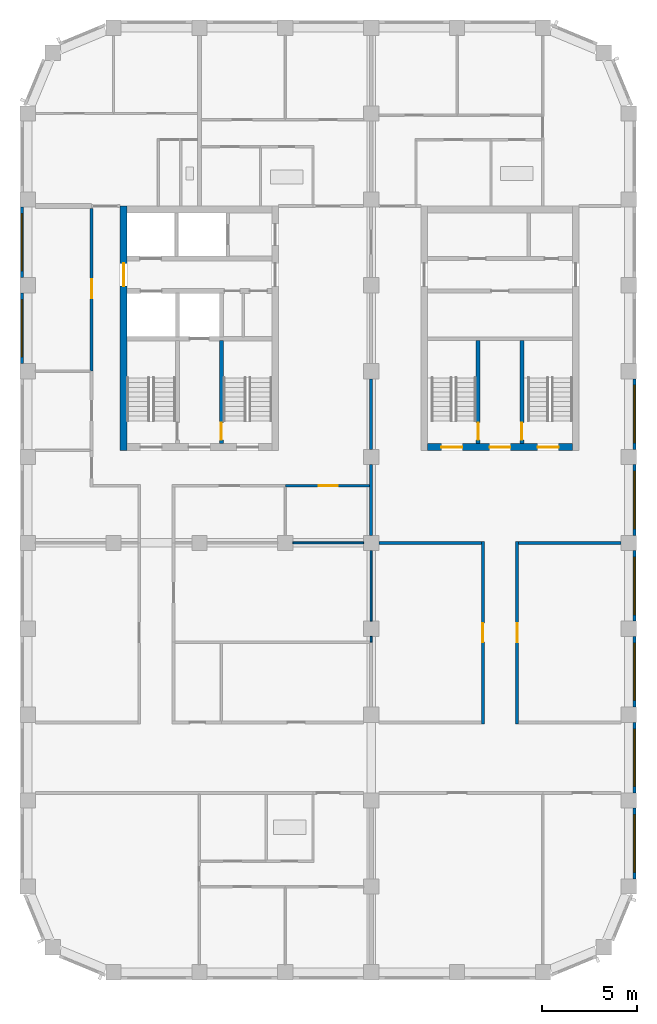
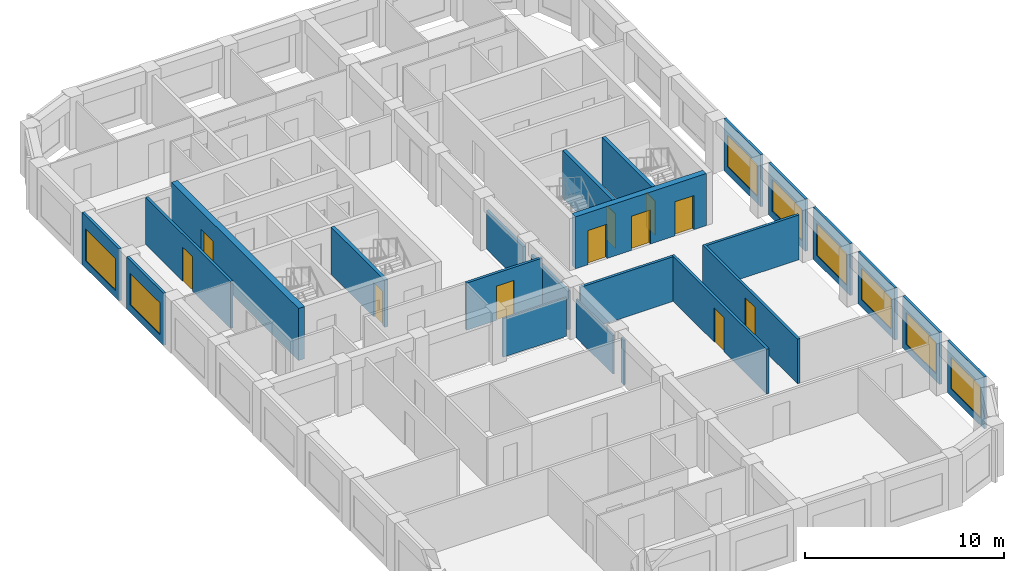
# One storey, part 4 of 9: 24 walls, 11 doors, 8 windows, 19 openings.
"""IFC4 building model written with IfcOpenShell, lengths in metres."""

from ifc_helpers import new_model, si_unit, direction, frame, frame_2d, origin, place, context, subcontext, project, spatial, rectangle, extrude, material, layer, layer_set, type_object, element, fill, save


model = new_model("IFC4")

# Units and contexts
model_context = context("Model", 3, precision=1e-05, world=origin(), true_north=direction((0.0, 1.0)))
body_context = subcontext(model_context, "Body", "Model", "MODEL_VIEW")
ifc_project = project(units=[si_unit("LENGTHUNIT", "METRE"), si_unit("AREAUNIT", "SQUARE_METRE"), si_unit("VOLUMEUNIT", "CUBIC_METRE"), si_unit("PLANEANGLEUNIT", "RADIAN"), si_unit("MASSUNIT", "GRAM", prefix="KILO")], contexts=[model_context])

# Site, building, storey
site_placement = place(None, origin())
site = spatial("IfcSite", under=ifc_project, at=site_placement, CompositionType="ELEMENT")
building_placement = place(site_placement, origin())
building = spatial("IfcBuilding", under=site, at=building_placement, Name="Girih Gate Residences", CompositionType="ELEMENT")
storey_placement = place(building_placement, frame((0.0, 0.0, 206.89501953125)))
storey = spatial("IfcBuildingStorey", under=building, at=storey_placement, Name="L57", CompositionType="ELEMENT", Elevation=206.89501953125)

# Walls
ifc_material_1 = material(Name="Gypsum board on steel studs", Category="steel")
ifc_layer_1 = layer(ifc_material_1, 0.14990234375)
ifc_layer_set_1 = layer_set([ifc_layer_1], Name="Compartment wall 150 mm")
wall_type_1 = type_object("IfcWallType", Name="Compartment wall 150 mm", PredefinedType="PARTITIONING", material=ifc_layer_set_1)
for number, where, z_axis, x_axis, name in (
    (1, (18.39990234375, 22.5, 0.0), (0.0, 0.0, 1.0), (1.0, 0.0, 0.0), "L57 partition"),
    (2, (25.72509765625, 22.5, 0.0), (0.0, 0.0, 1.0), (1.0, 0.0, 0.0), "L57 partition"),
):
    element("IfcWall", number, at=place(storey_placement, frame(where, z_axis=z_axis, x_axis=x_axis)), inside=storey, type_object=wall_type_1, Name=name, PredefinedType="PARTITIONING", context=body_context, shape_type="SweptSolid", body=[
        extrude(rectangle(XDim=5.375, YDim=0.14990234375, at=frame_2d((2.6875, 0.0))), origin(), (0.0, 0.0, 1.0), 2.75),
    ])
for number, where, z_axis, x_axis, name in (
    (3, (18.0, 27.39990234375, 0.0), (0.0, 0.0, 1.0), (0.0, 1.0, 0.0), "L57 partition"),
    (4, (18.0, 22.89990234375, 0.0), (0.0, 0.0, 1.0), (0.0, 1.0, 0.0), "L57 partition"),
):
    element("IfcWall", number, at=place(storey_placement, frame(where, z_axis=z_axis, x_axis=x_axis)), inside=storey, type_object=wall_type_1, Name=name, PredefinedType="PARTITIONING", context=body_context, shape_type="SweptSolid", body=[
        extrude(rectangle(XDim=3.7001953125, YDim=0.14990234375, at=frame_2d((1.85009765625, 0.0))), origin(), (0.0, 0.0, 1.0), 2.3798828125),
    ])

# Wall, opening, door
wall_1_placement = place(storey_placement, frame((23.85009765625, 13.02490234375, 0.0), z_axis=(0.0, 0.0, 1.0), x_axis=(0.0, 1.0, 0.0)))
wall_1 = element("IfcWall", 5, at=wall_1_placement, inside=storey, type_object=wall_type_1, Name="L57 partition", PredefinedType="PARTITIONING", context=body_context, shape_type="SweptSolid", body=[
    extrude(rectangle(XDim=9.550048828125, YDim=0.14990234375, at=frame_2d((4.77490234375, 0.0))), origin(), (0.0, 0.0, 1.0), 2.75),
])
opening_1_placement = place(wall_1_placement, frame((4.27490234375, 0.0, 0.0)))
opening_1 = element("IfcOpeningElement", 6, at=opening_1_placement, cuts=wall_1, Name="Opening A57-027", PredefinedType="OPENING", context=body_context, shape_type="SweptSolid", body=[
    extrude(rectangle(XDim=1.0, YDim=2.10009765625, at=frame_2d((0.5, 1.050048828125))), frame((0.0, 0.0849609375, 0.0), z_axis=(0.0, -1.0, 0.0), x_axis=(1.0, 0.0, 0.0)), (0.0, 0.0, 1.0), 0.169921875),
])
ifc_material_2 = material(Name="Timber, fire-rated core", Category="wood")
door_type_1 = type_object("IfcDoorType", Name="Amenity room door 1000x2100 FD30S", OperationType="NOTDEFINED", PredefinedType="DOOR", material=ifc_material_2)
door_1_placement = place(opening_1_placement, origin())
door_1 = element("IfcDoor", 7, at=door_1_placement, inside=storey, type_object=door_type_1, Name="Door A57-027", OperationType="SINGLE_SWING_RIGHT", OverallHeight=2.10009765625, OverallWidth=1.0, PredefinedType="DOOR", context=body_context, shape_type="SweptSolid", body=[
    extrude(rectangle(XDim=1.0, YDim=2.10009765625, at=frame_2d((0.5, 1.050048828125))), frame((0.0, 0.02490234375, 0.0), z_axis=(0.0, -1.0, 0.0), x_axis=(1.0, 0.0, 0.0)), (0.0, 0.0, 1.0), 0.050048828125),
])
fill(opening_1, door_1)

wall_2_placement = place(storey_placement, frame((25.64990234375, 22.574951171875, 0.0), z_axis=(0.0, 0.0, 1.0), x_axis=(0.0, -1.0, 0.0)))
wall_2 = element("IfcWall", 8, at=wall_2_placement, inside=storey, type_object=wall_type_1, Name="L57 partition", PredefinedType="PARTITIONING", context=body_context, shape_type="SweptSolid", body=[
    extrude(rectangle(XDim=9.550048828125, YDim=0.14990234375, at=frame_2d((4.77490234375, 0.0))), origin(), (0.0, 0.0, 1.0), 2.75),
])
opening_2_placement = place(wall_2_placement, frame((4.27490234375, 0.0, 0.0)))
opening_2 = element("IfcOpeningElement", 9, at=opening_2_placement, cuts=wall_2, Name="Opening A57-028", PredefinedType="OPENING", context=body_context, shape_type="SweptSolid", body=[
    extrude(rectangle(XDim=1.0, YDim=2.10009765625, at=frame_2d((0.5, 1.050048828125))), frame((0.0, 0.0849609375, 0.0), z_axis=(0.0, -1.0, 0.0), x_axis=(1.0, 0.0, 0.0)), (0.0, 0.0, 1.0), 0.169921875),
])
door_2_placement = place(opening_2_placement, origin())
door_2 = element("IfcDoor", 10, at=door_2_placement, inside=storey, type_object=door_type_1, Name="Door A57-028", OperationType="SINGLE_SWING_LEFT", OverallHeight=2.10009765625, OverallWidth=1.0, PredefinedType="DOOR", context=body_context, shape_type="SweptSolid", body=[
    extrude(rectangle(XDim=1.0, YDim=2.10009765625, at=frame_2d((0.5, 1.050048828125))), frame((0.0, 0.02490234375, 0.0), z_axis=(0.0, -1.0, 0.0), x_axis=(1.0, 0.0, 0.0)), (0.0, 0.0, 1.0), 0.050048828125),
])
fill(opening_2, door_2)

wall_3_placement = place(storey_placement, frame((17.925048828125, 25.5, 0.0), z_axis=(0.0, 0.0, 1.0), x_axis=(-1.0, 0.0, 0.0)))
wall_3 = element("IfcWall", 11, at=wall_3_placement, inside=storey, type_object=wall_type_1, Name="L57 partition", PredefinedType="PARTITIONING", context=body_context, shape_type="SweptSolid", body=[
    extrude(rectangle(XDim=4.425048828125, YDim=0.14990234375, at=frame_2d((2.21240234375, 0.0))), origin(), (0.0, 0.0, 1.0), 2.89990234375),
])
opening_3_placement = place(wall_3_placement, frame((1.675048828125, 0.0, 0.0)))
opening_3 = element("IfcOpeningElement", 12, at=opening_3_placement, cuts=wall_3, Name="Opening A57-033", PredefinedType="OPENING", context=body_context, shape_type="SweptSolid", body=[
    extrude(rectangle(XDim=1.0, YDim=2.10009765625, at=frame_2d((0.5, 1.050048828125))), frame((0.0, 0.0849609375, 0.0), z_axis=(0.0, -1.0, 0.0), x_axis=(1.0, 0.0, 0.0)), (0.0, 0.0, 1.0), 0.169921875),
])
door_3_placement = place(opening_3_placement, origin())
door_3 = element("IfcDoor", 13, at=door_3_placement, inside=storey, type_object=door_type_1, Name="Door A57-033", OperationType="SINGLE_SWING_LEFT", OverallHeight=2.10009765625, OverallWidth=1.0, PredefinedType="DOOR", context=body_context, shape_type="SweptSolid", body=[
    extrude(rectangle(XDim=1.0, YDim=2.10009765625, at=frame_2d((0.5, 1.050048828125))), frame((0.0, 0.02490234375, 0.0), z_axis=(0.0, -1.0, 0.0), x_axis=(1.0, 0.0, 0.0)), (0.0, 0.0, 1.0), 0.050048828125),
])
fill(opening_3, door_3)

wall_4_placement = place(storey_placement, frame((3.35009765625, 31.5, 0.0), z_axis=(0.0, 0.0, 1.0), x_axis=(0.0, 1.0, 0.0)))
wall_4 = element("IfcWall", 14, at=wall_4_placement, inside=storey, type_object=wall_type_1, Name="L57 partition", PredefinedType="PARTITIONING", context=body_context, shape_type="SweptSolid", body=[
    extrude(rectangle(XDim=8.52490234375, YDim=0.14990234375, at=frame_2d((4.262451171875, 0.0))), origin(), (0.0, 0.0, 1.0), 2.89990234375),
])
opening_4_placement = place(wall_4_placement, frame((3.824951171875, 0.0, 0.0)))
opening_4 = element("IfcOpeningElement", 15, at=opening_4_placement, cuts=wall_4, Name="Opening A57-035", PredefinedType="OPENING", context=body_context, shape_type="SweptSolid", body=[
    extrude(rectangle(XDim=1.0, YDim=2.10009765625, at=frame_2d((0.5, 1.050048828125))), frame((0.0, 0.0849609375, 0.0), z_axis=(0.0, -1.0, 0.0), x_axis=(1.0, 0.0, 0.0)), (0.0, 0.0, 1.0), 0.169921875),
])
door_4_placement = place(opening_4_placement, origin())
door_4 = element("IfcDoor", 16, at=door_4_placement, inside=storey, type_object=door_type_1, Name="Door A57-035", OperationType="SINGLE_SWING_RIGHT", OverallHeight=2.10009765625, OverallWidth=1.0, PredefinedType="DOOR", context=body_context, shape_type="SweptSolid", body=[
    extrude(rectangle(XDim=1.0, YDim=2.10009765625, at=frame_2d((0.5, 1.050048828125))), frame((0.0, 0.02490234375, 0.0), z_axis=(0.0, -1.0, 0.0), x_axis=(1.0, 0.0, 0.0)), (0.0, 0.0, 1.0), 0.050048828125),
])
fill(opening_4, door_4)

ifc_material_3 = material(Name="Concrete C60/75", Category="concrete")
ifc_layer_2 = layer(ifc_material_3, 0.35009765625)
ifc_layer_set_2 = layer_set([ifc_layer_2], Name="Core wall RC 350 Concrete C60/75")
wall_type_2 = type_object("IfcWallType", Name="Core wall RC 350 Concrete C60/75", PredefinedType="SOLIDWALL", material=ifc_layer_set_2)
wall_5_placement = place(storey_placement, frame((5.02490234375, 27.35009765625, 0.0), z_axis=(0.0, 0.0, 1.0), x_axis=(0.0, 1.0, 0.0)))
wall_5 = element("IfcWall", 17, at=wall_5_placement, inside=storey, type_object=wall_type_2, Name="Core wall W-W L57", PredefinedType="SOLIDWALL", context=body_context, shape_type="SweptSolid", body=[
    extrude(rectangle(XDim=12.7998046875, YDim=0.35009765625, at=frame_2d((6.39990234375, 0.0))), origin(), (0.0, 0.0, 1.0), 3.199951171875),
])
opening_5_placement = place(wall_5_placement, frame((8.60009765625, 0.0, 0.0)))
opening_5 = element("IfcOpeningElement", 18, at=opening_5_placement, cuts=wall_5, Name="Opening D-L57-W-013", PredefinedType="OPENING", context=body_context, shape_type="SweptSolid", body=[
    extrude(rectangle(XDim=1.199951171875, YDim=2.10009765625, at=frame_2d((0.60009765625, 1.050048828125))), frame((0.0, 0.18505859375, 0.0), z_axis=(0.0, -1.0, 0.0), x_axis=(1.0, 0.0, 0.0)), (0.0, 0.0, 1.0), 0.3701171875),
])
ifc_material_4 = material(Name="Painted steel, fire-resisting", Category="steel")
door_type_2 = type_object("IfcDoorType", Name="Fire door 1200x2100", OperationType="SINGLE_SWING_LEFT", PredefinedType="DOOR", material=ifc_material_4)
door_5_placement = place(opening_5_placement, origin())
door_5 = element("IfcDoor", 19, at=door_5_placement, inside=storey, type_object=door_type_2, Name="L57 W core door ll-w", OperationType="SINGLE_SWING_LEFT", OverallHeight=2.10009765625, OverallWidth=1.199951171875, PredefinedType="DOOR", context=body_context, shape_type="SweptSolid", body=[
    extrude(rectangle(XDim=1.199951171875, YDim=2.10009765625, at=frame_2d((0.60009765625, 1.050048828125))), frame((0.0, 0.02490234375, 0.0), z_axis=(0.0, -1.0, 0.0), x_axis=(1.0, 0.0, 0.0)), (0.0, 0.0, 1.0), 0.050048828125),
])
fill(opening_5, door_5)

# Walls
ifc_layer_3 = layer(ifc_material_1, 0.10009765625)
ifc_layer_set_3 = layer_set([ifc_layer_3], Name="Partition 100 mm")
wall_type_3 = type_object("IfcWallType", Name="Partition 100 mm", PredefinedType="PARTITIONING", material=ifc_layer_set_3)
wall_6_placement = place(storey_placement, frame((18.0, 18.39990234375, 0.0), z_axis=(0.0, 0.0, 1.0), x_axis=(0.0, 1.0, 0.0)))
element("IfcWall", 20, at=wall_6_placement, inside=storey, type_object=wall_type_3, Name="L57 partition", PredefinedType="PARTITIONING", context=body_context, shape_type="SweptSolid", body=[
    extrude(rectangle(XDim=3.7001953125, YDim=0.10009765625, at=frame_2d((1.85009765625, 0.0))), origin(), (0.0, 0.0, 1.0), 2.3798828125),
])
wall_7_placement = place(storey_placement, frame((18.0, 17.300048828125, 0.0), z_axis=(0.0, 0.0, 1.0), x_axis=(0.0, 1.0, 0.0)))
element("IfcWall", 21, at=wall_7_placement, inside=storey, type_object=wall_type_3, Name="L57 partition", PredefinedType="PARTITIONING", context=body_context, shape_type="SweptSolid", body=[
    extrude(rectangle(XDim=0.300048828125, YDim=0.10009765625, at=frame_2d((0.14990234375, 0.0))), origin(), (0.0, 0.0, 1.0), 2.75),
])
wall_8_placement = place(storey_placement, frame((13.89990234375, 22.5, 0.0), z_axis=(0.0, 0.0, 1.0), x_axis=(1.0, 0.0, 0.0)))
element("IfcWall", 22, at=wall_8_placement, inside=storey, type_object=wall_type_3, Name="L57 partition", PredefinedType="PARTITIONING", context=body_context, shape_type="SweptSolid", body=[
    extrude(rectangle(XDim=3.7001953125, YDim=0.10009765625, at=frame_2d((1.85009765625, 0.0))), origin(), (0.0, 0.0, 1.0), 2.3798828125),
])

# Wall, opening, window
ifc_material_5 = material(Name="Precast concrete C50/60", Category="concrete")
ifc_layer_4 = layer(ifc_material_5, 0.050048828125, Name="Outer leaf")
ifc_material_6 = material(Name="Rigid PIR insulation")
ifc_layer_5 = layer(ifc_material_6, 0.06005859375, Name="Insulation")
ifc_material_7 = material(Name="Precast concrete C40/50", Category="concrete")
ifc_layer_6 = layer(ifc_material_7, 0.0400390625, Name="Inner leaf")
ifc_layer_set_4 = layer_set([ifc_layer_4, ifc_layer_5, ifc_layer_6], Name="Precast concrete C50/60 external wall 150")
wall_type_4 = type_object("IfcWallType", Name="Precast concrete C50/60 external wall 150", PredefinedType="SOLIDWALL", material=ifc_layer_set_4)
wall_9_placement = place(storey_placement, frame((31.800048828125, 8.60009765625, 0.0), z_axis=(0.0, 0.0, 1.0), x_axis=(0.0, -1.0, 0.0)))
wall_9 = element("IfcWall", 23, at=wall_9_placement, inside=storey, type_object=wall_type_4, Name="External wall E0315_0045.0", PredefinedType="SOLIDWALL", context=body_context, shape_type="SweptSolid", body=[
    extrude(rectangle(XDim=3.7001953125, YDim=0.14990234375, at=frame_2d((1.85009765625, 0.0))), origin(), (0.0, 0.0, 1.0), 3.199951171875),
])
opening_6_placement = place(wall_9_placement, frame((0.35009765625, 0.0, 0.449951171875)))
opening_6 = element("IfcOpeningElement", 24, at=opening_6_placement, cuts=wall_9, Name="Opening W-1D", PredefinedType="OPENING", context=body_context, shape_type="SweptSolid", body=[
    extrude(rectangle(XDim=3.0, YDim=1.949951171875, at=frame_2d((1.5, 0.97509765625))), frame((0.0, 0.0849609375, 0.0), z_axis=(0.0, -1.0, 0.0), x_axis=(1.0, 0.0, 0.0)), (0.0, 0.0, 1.0), 0.169921875),
])
ifc_material_8 = material(Name="Double glazing in aluminium frame", Category="aluminium")
window_type = type_object("IfcWindowType", Name="Window W-1D 3000x1950", PartitioningType="SINGLE_PANEL", PredefinedType="WINDOW", material=ifc_material_8)
window_1_placement = place(opening_6_placement, origin())
window_1 = element("IfcWindow", 25, at=window_1_placement, inside=storey, type_object=window_type, Name="Window W-1D E0315_0045.0", OverallHeight=1.949951171875, OverallWidth=3.0, PartitioningType="SINGLE_PANEL", PredefinedType="WINDOW", context=body_context, shape_type="SweptSolid", body=[
    extrude(rectangle(XDim=3.0, YDim=1.949951171875, at=frame_2d((1.5, 0.97509765625))), frame((0.0, 0.030029296875, 0.0), z_axis=(0.0, -1.0, 0.0), x_axis=(1.0, 0.0, 0.0)), (0.0, 0.0, 1.0), 0.06005859375),
])
fill(opening_6, window_1)

wall_10_placement = place(storey_placement, frame((31.800048828125, 13.10009765625, 0.0), z_axis=(0.0, 0.0, 1.0), x_axis=(0.0, -1.0, 0.0)))
wall_10 = element("IfcWall", 26, at=wall_10_placement, inside=storey, type_object=wall_type_4, Name="External wall E0315_0045.1", PredefinedType="SOLIDWALL", context=body_context, shape_type="SweptSolid", body=[
    extrude(rectangle(XDim=3.7001953125, YDim=0.14990234375, at=frame_2d((1.85009765625, 0.0))), origin(), (0.0, 0.0, 1.0), 3.199951171875),
])
opening_7_placement = place(wall_10_placement, frame((0.35009765625, 0.0, 0.449951171875)))
opening_7 = element("IfcOpeningElement", 27, at=opening_7_placement, cuts=wall_10, Name="Opening W-1D", PredefinedType="OPENING", context=body_context, shape_type="SweptSolid", body=[
    extrude(rectangle(XDim=3.0, YDim=1.949951171875, at=frame_2d((1.5, 0.97509765625))), frame((0.0, 0.0849609375, 0.0), z_axis=(0.0, -1.0, 0.0), x_axis=(1.0, 0.0, 0.0)), (0.0, 0.0, 1.0), 0.169921875),
])
window_2_placement = place(opening_7_placement, origin())
window_2 = element("IfcWindow", 28, at=window_2_placement, inside=storey, type_object=window_type, Name="Window W-1D E0315_0045.1", OverallHeight=1.949951171875, OverallWidth=3.0, PartitioningType="SINGLE_PANEL", PredefinedType="WINDOW", context=body_context, shape_type="SweptSolid", body=[
    extrude(rectangle(XDim=3.0, YDim=1.949951171875, at=frame_2d((1.5, 0.97509765625))), frame((0.0, 0.030029296875, 0.0), z_axis=(0.0, -1.0, 0.0), x_axis=(1.0, 0.0, 0.0)), (0.0, 0.0, 1.0), 0.06005859375),
])
fill(opening_7, window_2)

wall_11_placement = place(storey_placement, frame((31.800048828125, 17.60009765625, 0.0), z_axis=(0.0, 0.0, 1.0), x_axis=(0.0, -1.0, 0.0)))
wall_11 = element("IfcWall", 29, at=wall_11_placement, inside=storey, type_object=wall_type_4, Name="External wall E0315_0045.2", PredefinedType="SOLIDWALL", context=body_context, shape_type="SweptSolid", body=[
    extrude(rectangle(XDim=3.7001953125, YDim=0.14990234375, at=frame_2d((1.85009765625, 0.0))), origin(), (0.0, 0.0, 1.0), 3.199951171875),
])
opening_8_placement = place(wall_11_placement, frame((0.35009765625, 0.0, 0.449951171875)))
opening_8 = element("IfcOpeningElement", 30, at=opening_8_placement, cuts=wall_11, Name="Opening W-1D", PredefinedType="OPENING", context=body_context, shape_type="SweptSolid", body=[
    extrude(rectangle(XDim=3.0, YDim=1.949951171875, at=frame_2d((1.5, 0.97509765625))), frame((0.0, 0.0849609375, 0.0), z_axis=(0.0, -1.0, 0.0), x_axis=(1.0, 0.0, 0.0)), (0.0, 0.0, 1.0), 0.169921875),
])
window_3_placement = place(opening_8_placement, origin())
window_3 = element("IfcWindow", 31, at=window_3_placement, inside=storey, type_object=window_type, Name="Window W-1D E0315_0045.2", OverallHeight=1.949951171875, OverallWidth=3.0, PartitioningType="SINGLE_PANEL", PredefinedType="WINDOW", context=body_context, shape_type="SweptSolid", body=[
    extrude(rectangle(XDim=3.0, YDim=1.949951171875, at=frame_2d((1.5, 0.97509765625))), frame((0.0, 0.030029296875, 0.0), z_axis=(0.0, -1.0, 0.0), x_axis=(1.0, 0.0, 0.0)), (0.0, 0.0, 1.0), 0.06005859375),
])
fill(opening_8, window_3)

wall_12_placement = place(storey_placement, frame((31.800048828125, 22.10009765625, 0.0), z_axis=(0.0, 0.0, 1.0), x_axis=(0.0, -1.0, 0.0)))
wall_12 = element("IfcWall", 32, at=wall_12_placement, inside=storey, type_object=wall_type_4, Name="External wall E0315_0045.3", PredefinedType="SOLIDWALL", context=body_context, shape_type="SweptSolid", body=[
    extrude(rectangle(XDim=3.7001953125, YDim=0.14990234375, at=frame_2d((1.85009765625, 0.0))), origin(), (0.0, 0.0, 1.0), 3.199951171875),
])
opening_9_placement = place(wall_12_placement, frame((0.35009765625, 0.0, 0.449951171875)))
opening_9 = element("IfcOpeningElement", 33, at=opening_9_placement, cuts=wall_12, Name="Opening W-1D", PredefinedType="OPENING", context=body_context, shape_type="SweptSolid", body=[
    extrude(rectangle(XDim=3.0, YDim=1.949951171875, at=frame_2d((1.5, 0.97509765625))), frame((0.0, 0.0849609375, 0.0), z_axis=(0.0, -1.0, 0.0), x_axis=(1.0, 0.0, 0.0)), (0.0, 0.0, 1.0), 0.169921875),
])
window_4_placement = place(opening_9_placement, origin())
window_4 = element("IfcWindow", 34, at=window_4_placement, inside=storey, type_object=window_type, Name="Window W-1D E0315_0045.3", OverallHeight=1.949951171875, OverallWidth=3.0, PartitioningType="SINGLE_PANEL", PredefinedType="WINDOW", context=body_context, shape_type="SweptSolid", body=[
    extrude(rectangle(XDim=3.0, YDim=1.949951171875, at=frame_2d((1.5, 0.97509765625))), frame((0.0, 0.030029296875, 0.0), z_axis=(0.0, -1.0, 0.0), x_axis=(1.0, 0.0, 0.0)), (0.0, 0.0, 1.0), 0.06005859375),
])
fill(opening_9, window_4)

wall_13_placement = place(storey_placement, frame((31.800048828125, 26.60009765625, 0.0), z_axis=(0.0, 0.0, 1.0), x_axis=(0.0, -1.0, 0.0)))
wall_13 = element("IfcWall", 35, at=wall_13_placement, inside=storey, type_object=wall_type_4, Name="External wall E0315_0045.4", PredefinedType="SOLIDWALL", context=body_context, shape_type="SweptSolid", body=[
    extrude(rectangle(XDim=3.7001953125, YDim=0.14990234375, at=frame_2d((1.85009765625, 0.0))), origin(), (0.0, 0.0, 1.0), 3.199951171875),
])
opening_10_placement = place(wall_13_placement, frame((0.35009765625, 0.0, 0.449951171875)))
opening_10 = element("IfcOpeningElement", 36, at=opening_10_placement, cuts=wall_13, Name="Opening W-1D", PredefinedType="OPENING", context=body_context, shape_type="SweptSolid", body=[
    extrude(rectangle(XDim=3.0, YDim=1.949951171875, at=frame_2d((1.5, 0.97509765625))), frame((0.0, 0.0849609375, 0.0), z_axis=(0.0, -1.0, 0.0), x_axis=(1.0, 0.0, 0.0)), (0.0, 0.0, 1.0), 0.169921875),
])
window_5_placement = place(opening_10_placement, origin())
window_5 = element("IfcWindow", 37, at=window_5_placement, inside=storey, type_object=window_type, Name="Window W-1D E0315_0045.4", OverallHeight=1.949951171875, OverallWidth=3.0, PartitioningType="SINGLE_PANEL", PredefinedType="WINDOW", context=body_context, shape_type="SweptSolid", body=[
    extrude(rectangle(XDim=3.0, YDim=1.949951171875, at=frame_2d((1.5, 0.97509765625))), frame((0.0, 0.030029296875, 0.0), z_axis=(0.0, -1.0, 0.0), x_axis=(1.0, 0.0, 0.0)), (0.0, 0.0, 1.0), 0.06005859375),
])
fill(opening_10, window_5)

wall_14_placement = place(storey_placement, frame((31.800048828125, 31.10009765625, 0.0), z_axis=(0.0, 0.0, 1.0), x_axis=(0.0, -1.0, 0.0)))
wall_14 = element("IfcWall", 38, at=wall_14_placement, inside=storey, type_object=wall_type_4, Name="External wall E0315_0045.5", PredefinedType="SOLIDWALL", context=body_context, shape_type="SweptSolid", body=[
    extrude(rectangle(XDim=3.7001953125, YDim=0.14990234375, at=frame_2d((1.85009765625, 0.0))), origin(), (0.0, 0.0, 1.0), 3.199951171875),
])
opening_11_placement = place(wall_14_placement, frame((0.35009765625, 0.0, 0.449951171875)))
opening_11 = element("IfcOpeningElement", 39, at=opening_11_placement, cuts=wall_14, Name="Opening W-1D", PredefinedType="OPENING", context=body_context, shape_type="SweptSolid", body=[
    extrude(rectangle(XDim=3.0, YDim=1.949951171875, at=frame_2d((1.5, 0.97509765625))), frame((0.0, 0.0849609375, 0.0), z_axis=(0.0, -1.0, 0.0), x_axis=(1.0, 0.0, 0.0)), (0.0, 0.0, 1.0), 0.169921875),
])
window_6_placement = place(opening_11_placement, origin())
window_6 = element("IfcWindow", 40, at=window_6_placement, inside=storey, type_object=window_type, Name="Window W-1D E0315_0045.5", OverallHeight=1.949951171875, OverallWidth=3.0, PartitioningType="SINGLE_PANEL", PredefinedType="WINDOW", context=body_context, shape_type="SweptSolid", body=[
    extrude(rectangle(XDim=3.0, YDim=1.949951171875, at=frame_2d((1.5, 0.97509765625))), frame((0.0, 0.030029296875, 0.0), z_axis=(0.0, -1.0, 0.0), x_axis=(1.0, 0.0, 0.0)), (0.0, 0.0, 1.0), 0.06005859375),
])
fill(opening_11, window_6)

wall_15_placement = place(storey_placement, frame((-0.300048828125, 36.39990234375, 0.0), z_axis=(0.0, 0.0, 1.0), x_axis=(0.0, 1.0, 0.0)))
wall_15 = element("IfcWall", 41, at=wall_15_placement, inside=storey, type_object=wall_type_4, Name="External wall W0000_0450.1", PredefinedType="SOLIDWALL", context=body_context, shape_type="SweptSolid", body=[
    extrude(rectangle(XDim=3.7001953125, YDim=0.14990234375, at=frame_2d((1.85009765625, 0.0))), origin(), (0.0, 0.0, 1.0), 3.199951171875),
])
opening_12_placement = place(wall_15_placement, frame((0.35009765625, 0.0, 0.449951171875)))
opening_12 = element("IfcOpeningElement", 42, at=opening_12_placement, cuts=wall_15, Name="Opening W-1D", PredefinedType="OPENING", context=body_context, shape_type="SweptSolid", body=[
    extrude(rectangle(XDim=3.0, YDim=1.949951171875, at=frame_2d((1.5, 0.97509765625))), frame((0.0, 0.0849609375, 0.0), z_axis=(0.0, -1.0, 0.0), x_axis=(1.0, 0.0, 0.0)), (0.0, 0.0, 1.0), 0.169921875),
])
window_7_placement = place(opening_12_placement, origin())
window_7 = element("IfcWindow", 43, at=window_7_placement, inside=storey, type_object=window_type, Name="Window W-1D W0000_0450.1", OverallHeight=1.949951171875, OverallWidth=3.0, PartitioningType="SINGLE_PANEL", PredefinedType="WINDOW", context=body_context, shape_type="SweptSolid", body=[
    extrude(rectangle(XDim=3.0, YDim=1.949951171875, at=frame_2d((1.5, 0.97509765625))), frame((0.0, 0.030029296875, 0.0), z_axis=(0.0, -1.0, 0.0), x_axis=(1.0, 0.0, 0.0)), (0.0, 0.0, 1.0), 0.06005859375),
])
fill(opening_12, window_7)

wall_16_placement = place(storey_placement, frame((-0.300048828125, 31.89990234375, 0.0), z_axis=(0.0, 0.0, 1.0), x_axis=(0.0, 1.0, 0.0)))
wall_16 = element("IfcWall", 44, at=wall_16_placement, inside=storey, type_object=wall_type_4, Name="External wall W0000_0450.2", PredefinedType="SOLIDWALL", context=body_context, shape_type="SweptSolid", body=[
    extrude(rectangle(XDim=3.7001953125, YDim=0.14990234375, at=frame_2d((1.85009765625, 0.0))), origin(), (0.0, 0.0, 1.0), 3.199951171875),
])
opening_13_placement = place(wall_16_placement, frame((0.35009765625, 0.0, 0.449951171875)))
opening_13 = element("IfcOpeningElement", 45, at=opening_13_placement, cuts=wall_16, Name="Opening W-1D", PredefinedType="OPENING", context=body_context, shape_type="SweptSolid", body=[
    extrude(rectangle(XDim=3.0, YDim=1.949951171875, at=frame_2d((1.5, 0.97509765625))), frame((0.0, 0.0849609375, 0.0), z_axis=(0.0, -1.0, 0.0), x_axis=(1.0, 0.0, 0.0)), (0.0, 0.0, 1.0), 0.169921875),
])
window_8_placement = place(opening_13_placement, origin())
window_8 = element("IfcWindow", 46, at=window_8_placement, inside=storey, type_object=window_type, Name="Window W-1D W0000_0450.2", OverallHeight=1.949951171875, OverallWidth=3.0, PartitioningType="SINGLE_PANEL", PredefinedType="WINDOW", context=body_context, shape_type="SweptSolid", body=[
    extrude(rectangle(XDim=3.0, YDim=1.949951171875, at=frame_2d((1.5, 0.97509765625))), frame((0.0, 0.030029296875, 0.0), z_axis=(0.0, -1.0, 0.0), x_axis=(1.0, 0.0, 0.0)), (0.0, 0.0, 1.0), 0.06005859375),
])
fill(opening_13, window_8)

# Wall, opening, door
ifc_material_9 = material(Name="Concrete C40/50", Category="concrete")
ifc_layer_7 = layer(ifc_material_9, 0.199951171875)
ifc_layer_set_5 = layer_set([ifc_layer_7], Name="Shaft wall 200")
wall_type_5 = type_object("IfcWallType", Name="Shaft wall 200", PredefinedType="SOLIDWALL", material=ifc_layer_set_5)
wall_17_placement = place(storey_placement, frame((10.14990234375, 27.699951171875, 0.0), z_axis=(0.0, 0.0, 1.0), x_axis=(0.0, 1.0, 0.0)))
wall_17 = element("IfcWall", 47, at=wall_17_placement, inside=storey, type_object=wall_type_5, Name="L57 W core wall V2a", PredefinedType="SOLIDWALL", context=body_context, shape_type="SweptSolid", body=[
    extrude(rectangle(XDim=5.400146484375, YDim=0.199951171875, at=frame_2d((2.7001953125, 0.0))), origin(), (0.0, 0.0, 1.0), 2.89990234375),
])
opening_14_placement = place(wall_17_placement, frame((0.199951171875, 0.0, 0.0)))
opening_14 = element("IfcOpeningElement", 48, at=opening_14_placement, cuts=wall_17, Name="Opening D-L57-W-002", PredefinedType="OPENING", context=body_context, shape_type="SweptSolid", body=[
    extrude(rectangle(XDim=0.89990234375, YDim=2.10009765625, at=frame_2d((0.449951171875, 1.050048828125))), frame((0.0, 0.10986328125, 0.0), z_axis=(0.0, -1.0, 0.0), x_axis=(1.0, 0.0, 0.0)), (0.0, 0.0, 1.0), 0.219970703125),
])
door_type_3 = type_object("IfcDoorType", Name="Fire door 900x2100", OperationType="SINGLE_SWING_LEFT", PredefinedType="DOOR", material=ifc_material_4)
door_6_placement = place(opening_14_placement, origin())
door_6 = element("IfcDoor", 49, at=door_6_placement, inside=storey, type_object=door_type_3, Name="L57 W door stair 2 to firefighting lobby", OperationType="SINGLE_SWING_LEFT", OverallHeight=2.10009765625, OverallWidth=0.89990234375, PredefinedType="DOOR", context=body_context, shape_type="SweptSolid", body=[
    extrude(rectangle(XDim=0.89990234375, YDim=2.10009765625, at=frame_2d((0.449951171875, 1.050048828125))), frame((0.0, 0.02490234375, 0.0), z_axis=(0.0, -1.0, 0.0), x_axis=(1.0, 0.0, 0.0)), (0.0, 0.0, 1.0), 0.050048828125),
])
fill(opening_14, door_6)

wall_18_placement = place(storey_placement, frame((23.60009765625, 27.699951171875, 0.0), z_axis=(0.0, 0.0, 1.0), x_axis=(0.0, 1.0, 0.0)))
wall_18 = element("IfcWall", 50, at=wall_18_placement, inside=storey, type_object=wall_type_5, Name="L57 C core wall V1a", PredefinedType="SOLIDWALL", context=body_context, shape_type="SweptSolid", body=[
    extrude(rectangle(XDim=5.400146484375, YDim=0.199951171875, at=frame_2d((2.7001953125, 0.0))), origin(), (0.0, 0.0, 1.0), 2.89990234375),
])
opening_15_placement = place(wall_18_placement, frame((0.199951171875, 0.0, 0.0)))
opening_15 = element("IfcOpeningElement", 51, at=opening_15_placement, cuts=wall_18, Name="Opening D-L57-C-001", PredefinedType="OPENING", context=body_context, shape_type="SweptSolid", body=[
    extrude(rectangle(XDim=0.89990234375, YDim=2.10009765625, at=frame_2d((0.449951171875, 1.050048828125))), frame((0.0, 0.10986328125, 0.0), z_axis=(0.0, -1.0, 0.0), x_axis=(1.0, 0.0, 0.0)), (0.0, 0.0, 1.0), 0.219970703125),
])
door_7_placement = place(opening_15_placement, origin())
door_7 = element("IfcDoor", 52, at=door_7_placement, inside=storey, type_object=door_type_3, Name="L57 C door stair 1 to stair lobby", OperationType="SINGLE_SWING_LEFT", OverallHeight=2.10009765625, OverallWidth=0.89990234375, PredefinedType="DOOR", context=body_context, shape_type="SweptSolid", body=[
    extrude(rectangle(XDim=0.89990234375, YDim=2.10009765625, at=frame_2d((0.449951171875, 1.050048828125))), frame((0.0, 0.02490234375, 0.0), z_axis=(0.0, -1.0, 0.0), x_axis=(1.0, 0.0, 0.0)), (0.0, 0.0, 1.0), 0.050048828125),
])
fill(opening_15, door_7)

wall_19_placement = place(storey_placement, frame((25.89990234375, 27.699951171875, 0.0), z_axis=(0.0, 0.0, 1.0), x_axis=(0.0, 1.0, 0.0)))
wall_19 = element("IfcWall", 53, at=wall_19_placement, inside=storey, type_object=wall_type_5, Name="L57 C core wall V2a", PredefinedType="SOLIDWALL", context=body_context, shape_type="SweptSolid", body=[
    extrude(rectangle(XDim=5.400146484375, YDim=0.199951171875, at=frame_2d((2.7001953125, 0.0))), origin(), (0.0, 0.0, 1.0), 2.89990234375),
])
opening_16_placement = place(wall_19_placement, frame((0.199951171875, 0.0, 0.0)))
opening_16 = element("IfcOpeningElement", 54, at=opening_16_placement, cuts=wall_19, Name="Opening D-L57-C-002", PredefinedType="OPENING", context=body_context, shape_type="SweptSolid", body=[
    extrude(rectangle(XDim=0.89990234375, YDim=2.10009765625, at=frame_2d((0.449951171875, 1.050048828125))), frame((0.0, 0.10986328125, 0.0), z_axis=(0.0, -1.0, 0.0), x_axis=(1.0, 0.0, 0.0)), (0.0, 0.0, 1.0), 0.219970703125),
])
door_8_placement = place(opening_16_placement, origin())
door_8 = element("IfcDoor", 55, at=door_8_placement, inside=storey, type_object=door_type_3, Name="L57 C door stair 2 to stair lobby", OperationType="SINGLE_SWING_LEFT", OverallHeight=2.10009765625, OverallWidth=0.89990234375, PredefinedType="DOOR", context=body_context, shape_type="SweptSolid", body=[
    extrude(rectangle(XDim=0.89990234375, YDim=2.10009765625, at=frame_2d((0.449951171875, 1.050048828125))), frame((0.0, 0.02490234375, 0.0), z_axis=(0.0, -1.0, 0.0), x_axis=(1.0, 0.0, 0.0)), (0.0, 0.0, 1.0), 0.050048828125),
])
fill(opening_16, door_8)

# Wall, openings, doors
ifc_layer_8 = layer(ifc_material_9, 0.35009765625)
ifc_layer_set_6 = layer_set([ifc_layer_8], Name="Stair core wall RC 350 Concrete C40/50")
wall_type_6 = type_object("IfcWallType", Name="Stair core wall RC 350 Concrete C40/50", PredefinedType="SOLIDWALL", material=ifc_layer_set_6)
wall_20_placement = place(storey_placement, frame((20.949951171875, 27.52490234375, 0.0), z_axis=(0.0, 0.0, 1.0), x_axis=(1.0, 0.0, 0.0)))
wall_20 = element("IfcWall", 56, at=wall_20_placement, inside=storey, type_object=wall_type_6, Name="Stair core wall C-S L57", PredefinedType="SOLIDWALL", context=body_context, shape_type="SweptSolid", body=[
    extrude(rectangle(XDim=7.60009765625, YDim=0.35009765625, at=frame_2d((3.800048828125, 0.0))), origin(), (0.0, 0.0, 1.0), 3.199951171875),
])
opening_17_placement = place(wall_20_placement, frame((0.72509765625, 0.0, 0.0)))
opening_17 = element("IfcOpeningElement", 57, at=opening_17_placement, cuts=wall_20, Name="Opening D-L57-C-006", PredefinedType="OPENING", context=body_context, shape_type="SweptSolid", body=[
    extrude(rectangle(XDim=1.10009765625, YDim=2.10009765625, at=frame_2d((0.550048828125, 1.050048828125))), frame((0.0, 0.18505859375, 0.0), z_axis=(0.0, -1.0, 0.0), x_axis=(1.0, 0.0, 0.0)), (0.0, 0.0, 1.0), 0.3701171875),
])
opening_18_placement = place(wall_20_placement, frame((3.25, 0.0, 0.0)))
opening_18 = element("IfcOpeningElement", 58, at=opening_18_placement, cuts=wall_20, Name="Opening D-L57-C-007", PredefinedType="OPENING", context=body_context, shape_type="SweptSolid", body=[
    extrude(rectangle(XDim=1.10009765625, YDim=2.10009765625, at=frame_2d((0.550048828125, 1.050048828125))), frame((0.0, 0.18505859375, 0.0), z_axis=(0.0, -1.0, 0.0), x_axis=(1.0, 0.0, 0.0)), (0.0, 0.0, 1.0), 0.3701171875),
])
opening_19_placement = place(wall_20_placement, frame((5.77490234375, 0.0, 0.0)))
opening_19 = element("IfcOpeningElement", 59, at=opening_19_placement, cuts=wall_20, Name="Opening D-L57-C-008", PredefinedType="OPENING", context=body_context, shape_type="SweptSolid", body=[
    extrude(rectangle(XDim=1.10009765625, YDim=2.10009765625, at=frame_2d((0.550048828125, 1.050048828125))), frame((0.0, 0.18505859375, 0.0), z_axis=(0.0, -1.0, 0.0), x_axis=(1.0, 0.0, 0.0)), (0.0, 0.0, 1.0), 0.3701171875),
])
door_type_4 = type_object("IfcDoorType", Name="Fire door 1100x2100", OperationType="SINGLE_SWING_LEFT", PredefinedType="DOOR", material=ifc_material_4)
door_9_placement = place(opening_17_placement, origin())
door_9 = element("IfcDoor", 60, at=door_9_placement, inside=storey, type_object=door_type_4, Name="L57 C core door sta-out", OperationType="SINGLE_SWING_LEFT", OverallHeight=2.10009765625, OverallWidth=1.10009765625, PredefinedType="DOOR", context=body_context, shape_type="SweptSolid", body=[
    extrude(rectangle(XDim=1.10009765625, YDim=2.10009765625, at=frame_2d((0.550048828125, 1.050048828125))), frame((0.0, 0.02490234375, 0.0), z_axis=(0.0, -1.0, 0.0), x_axis=(1.0, 0.0, 0.0)), (0.0, 0.0, 1.0), 0.050048828125),
])
fill(opening_17, door_9)
door_10_placement = place(opening_18_placement, origin())
door_10 = element("IfcDoor", 61, at=door_10_placement, inside=storey, type_object=door_type_4, Name="L57 C core door ffl-out", OperationType="SINGLE_SWING_LEFT", OverallHeight=2.10009765625, OverallWidth=1.10009765625, PredefinedType="DOOR", context=body_context, shape_type="SweptSolid", body=[
    extrude(rectangle(XDim=1.10009765625, YDim=2.10009765625, at=frame_2d((0.550048828125, 1.050048828125))), frame((0.0, 0.02490234375, 0.0), z_axis=(0.0, -1.0, 0.0), x_axis=(1.0, 0.0, 0.0)), (0.0, 0.0, 1.0), 0.050048828125),
])
fill(opening_18, door_10)
door_11_placement = place(opening_19_placement, origin())
door_11 = element("IfcDoor", 62, at=door_11_placement, inside=storey, type_object=door_type_4, Name="L57 C core door stb-out", OperationType="SINGLE_SWING_LEFT", OverallHeight=2.10009765625, OverallWidth=1.10009765625, PredefinedType="DOOR", context=body_context, shape_type="SweptSolid", body=[
    extrude(rectangle(XDim=1.10009765625, YDim=2.10009765625, at=frame_2d((0.550048828125, 1.050048828125))), frame((0.0, 0.02490234375, 0.0), z_axis=(0.0, -1.0, 0.0), x_axis=(1.0, 0.0, 0.0)), (0.0, 0.0, 1.0), 0.050048828125),
])
fill(opening_19, door_11)

save(model, "model.ifc")
